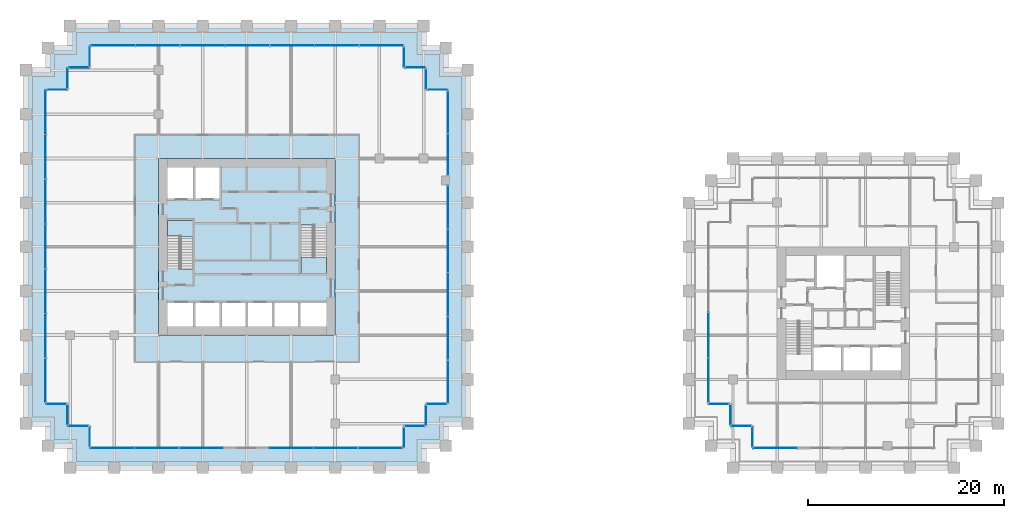
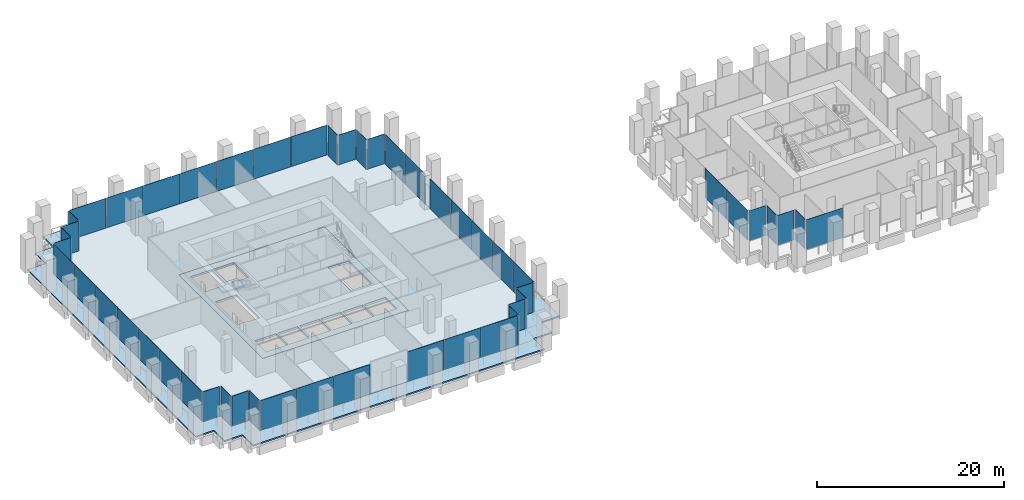
# One storey, part 28 of 36: 50 plates, 5 slabs, 30 elements without a shape of their own.
"""IFC4 building model written with IfcOpenShell, lengths in metres."""

import ifcopenshell
import ifcopenshell.guid

model = None  # the IFC model being written
_history = None  # IfcOwnerHistory: only IFC2X3 demands one
_inside = {}  # id of a spatial element -> (the spatial element, [elements in it])
_under = {}  # id of a project, library or spatial element -> (it, [spatial elements below it])
_declared = {}  # id of a project -> (the project, [libraries it declares])
_typed = {}  # id of a type object -> (the type object, [elements of that type])
_made_of = {}  # id of a material, layer set ... -> (it, [elements and type objects made of it])


def new_model(schema):
    """Start an empty IFC model of exactly this schema.

    Asked for "IFC4X3", IfcOpenShell would pick the latest addendum, in which some entities
    have other attributes; the version numbers below select the first issue.
    IFC2X3 requires an IfcOwnerHistory on every rooted entity: one is made here for all.
    """
    global model, _history
    if schema == "IFC4X3":
        model = ifcopenshell.file(schema_version=(4, 3, 0, 0))
    else:
        model = ifcopenshell.file(schema=schema)
    _inside.clear()
    _under.clear()
    _declared.clear()
    _typed.clear()
    _made_of.clear()
    _history = None
    if model.schema == "IFC2X3":
        org = make("IfcOrganization", Name="unknown")
        user = make(
            "IfcPersonAndOrganization",
            ThePerson=make("IfcPerson", FamilyName="unknown"),
            TheOrganization=org,
        )
        app = make(
            "IfcApplication",
            ApplicationDeveloper=org,
            Version="unknown",
            ApplicationFullName="unknown",
            ApplicationIdentifier="unknown",
        )
        _history = make(
            "IfcOwnerHistory",
            OwningUser=user,
            OwningApplication=app,
            ChangeAction="ADDED",
            CreationDate=0,
        )
    return model


def make(cls, **values):
    """One entity of the class cls with the attributes given. An attribute that is None is left unset."""
    return model.create_entity(
        cls, **{name: value for name, value in values.items() if value is not None}
    )


def rooted(cls, **values):
    """An entity with a GlobalId (a new one), such as an element, a storey or a relation."""
    return make(cls, GlobalId=ifcopenshell.guid.new(), OwnerHistory=_history, **values)


def si_unit(unit_type, name, prefix=None):
    """IfcSIUnit, for example si_unit("LENGTHUNIT", "METRE", prefix="MILLI")."""
    return make("IfcSIUnit", UnitType=unit_type, Prefix=prefix, Name=name)


def assignment(units):
    """IfcUnitAssignment: the units of a project."""
    return None if units is None else make("IfcUnitAssignment", Units=units)


def point(xyz):
    """IfcCartesianPoint."""
    return None if xyz is None else make("IfcCartesianPoint", Coordinates=xyz)


def direction(xyz):
    """IfcDirection."""
    return None if xyz is None else make("IfcDirection", DirectionRatios=xyz)


def frame(location, z_axis=None, x_axis=None):
    """IfcAxis2Placement3D, a coordinate frame: its origin and axes. An axis left out is left unset."""
    return make(
        "IfcAxis2Placement3D",
        Location=point(location),
        Axis=direction(z_axis),
        RefDirection=direction(x_axis),
    )


def frame_2d(location, x_axis=None):
    """IfcAxis2Placement2D, a coordinate frame in the plane: its origin and x axis."""
    return make(
        "IfcAxis2Placement2D", Location=point(location), RefDirection=direction(x_axis)
    )


def origin():
    """The frame at (0, 0, 0) with its axes left unset."""
    return frame((0.0, 0.0, 0.0))


def origin_2d():
    """The frame at (0, 0) in the plane with its x axis left unset."""
    return frame_2d((0.0, 0.0))


def place(relative_to, where):
    """IfcLocalPlacement: puts the frame where relative to a parent placement (None: the world)."""
    return make(
        "IfcLocalPlacement", PlacementRelTo=relative_to, RelativePlacement=where
    )


def context(
    kind, dimensions, precision=None, world=None, true_north=None, identifier=None
):
    """IfcGeometricRepresentationContext, for example the 3D "Model" context."""
    return make(
        "IfcGeometricRepresentationContext",
        ContextIdentifier=identifier,
        ContextType=kind,
        CoordinateSpaceDimension=dimensions,
        Precision=precision,
        WorldCoordinateSystem=world,
        TrueNorth=true_north,
    )


def subcontext(parent, identifier, kind, view, scale=None):
    """IfcGeometricRepresentationSubContext, for example "Body" below "Model"."""
    return make(
        "IfcGeometricRepresentationSubContext",
        ContextIdentifier=identifier,
        ContextType=kind,
        ParentContext=parent,
        TargetScale=scale,
        TargetView=view,
    )


def project(units=None, contexts=None):
    """IfcProject with its units and contexts."""
    return rooted(
        "IfcProject",
        Name="project",
        RepresentationContexts=contexts,
        UnitsInContext=assignment(units),
    )


def spatial(cls, under=None, at=None, **own):
    """A site, building, storey or space (cls), placed at a placement, below another one or the project."""
    s = rooted(cls, ObjectPlacement=at, **own)
    if under is not None:
        _under.setdefault(under.id(), (under, []))[1].append(s)
    return s


def polyline(points):
    """IfcPolyline through the points."""
    return make("IfcPolyline", Points=[point(p) for p in points])


def profile(cls, at=None, kind="AREA", **sizes):
    """A parametric profile (cls). Its sizes go by their IFC names, for example OverallWidth=200.0."""
    return make(cls, ProfileType=kind, Position=at, **sizes)


def rectangle(**sizes):
    """IfcRectangleProfileDef."""
    return profile("IfcRectangleProfileDef", **sizes)


def outline(outer, holes=None, kind="AREA"):
    """IfcArbitraryClosedProfileDef: a profile drawn as a closed curve; with holes, ...WithVoids."""
    if holes is None:
        return make("IfcArbitraryClosedProfileDef", ProfileType=kind, OuterCurve=outer)
    return make(
        "IfcArbitraryProfileDefWithVoids",
        ProfileType=kind,
        OuterCurve=outer,
        InnerCurves=holes,
    )


def extrude(swept, where, along, depth):
    """IfcExtrudedAreaSolid: the profile swept, set in the frame where, extruded along a direction by depth."""
    return make(
        "IfcExtrudedAreaSolid",
        SweptArea=swept,
        Position=where,
        ExtrudedDirection=direction(along),
        Depth=depth,
    )


def shape(context_of_items, identifier, shape_type, items):
    """IfcShapeRepresentation: the items that make up one representation, for example the "Body"."""
    return make(
        "IfcShapeRepresentation",
        ContextOfItems=context_of_items,
        RepresentationIdentifier=identifier,
        RepresentationType=shape_type,
        Items=items,
    )


def material(Name=None, Category=None):
    """IfcMaterial."""
    return make("IfcMaterial", Name=Name, Category=Category)


def layer(
    of_material, thickness, ventilated=None, Name=None, Category=None, Priority=None
):
    """IfcMaterialLayer: one layer of a wall or slab, of a material (None: an air gap)."""
    return make(
        "IfcMaterialLayer",
        Material=of_material,
        LayerThickness=thickness,
        IsVentilated=ventilated,
        Name=Name,
        Category=Category,
        Priority=Priority,
    )


def layer_set(layers, Name=None):
    """IfcMaterialLayerSet."""
    return make("IfcMaterialLayerSet", MaterialLayers=layers, LayerSetName=Name)


def made_of(thing, what):
    """Note that an element or type object is made of a material, layer set ...; save() writes the relation."""
    if what is not None:
        _made_of.setdefault(what.id(), (what, []))[1].append(thing)
    return thing


def type_object(cls, material=None, **own):
    """A type object (cls), such as IfcWallType, which elements share."""
    return made_of(rooted(cls, **own), material)


def element(
    cls,
    number,
    at=None,
    inside=None,
    cuts=None,
    type_object=None,
    material=None,
    context=None,
    identifier="Body",
    shape_type=None,
    held_by="IfcProductDefinitionShape",
    body=None,
    shapes=None,
    **own,
):
    """One element of the class cls, such as IfcWall. Its Tag is "e" and its number.

    at: its placement. inside: the storey or other place that contains it. cuts: it is an
    opening in that element (IfcRelVoidsElement). A single representation is given by context,
    identifier, shape_type and body (its items); several are given by shapes. held_by: the class
    of the entity that holds the representations. save() writes the other relations.
    """
    e = rooted(cls, Tag="e%d" % number, ObjectPlacement=at, **own)
    if body is not None:
        shapes = [shape(context, identifier, shape_type, body)]
    if shapes is not None:
        e.Representation = make(held_by, Representations=shapes)
    if inside is not None:
        _inside.setdefault(inside.id(), (inside, []))[1].append(e)
    if cuts is not None:
        rooted(
            "IfcRelVoidsElement", RelatingBuildingElement=cuts, RelatedOpeningElement=e
        )
    if type_object is not None:
        _typed.setdefault(type_object.id(), (type_object, []))[1].append(e)
    return made_of(e, material)


def aggregate(whole, parts):
    """IfcRelAggregates: a whole, such as a stair, and the parts it consists of."""
    return rooted("IfcRelAggregates", RelatingObject=whole, RelatedObjects=parts)


def save(model, path):
    """Write the relations noted so far, then the file.

    IfcRelAggregates (storeys below a building ...), IfcRelContainedInSpatialStructure (elements
    in a storey), IfcRelDefinesByType, IfcRelAssociatesMaterial and IfcRelDeclares: one each for
    every whole, place, type object, material and project.
    """
    for whole, parts in _under.values():
        aggregate(whole, parts)
    for where, things in _inside.values():
        rooted(
            "IfcRelContainedInSpatialStructure",
            RelatedElements=things,
            RelatingStructure=where,
        )
    for kind, things in _typed.values():
        rooted("IfcRelDefinesByType", RelatedObjects=things, RelatingType=kind)
    for what, things in _made_of.values():
        rooted("IfcRelAssociatesMaterial", RelatedObjects=things, RelatingMaterial=what)
    for by, libraries in _declared.values():
        rooted("IfcRelDeclares", RelatingContext=by, RelatedDefinitions=libraries)
    model.write(path)


model = new_model("IFC4")

# Units and contexts
model_context = context("Model", 3, precision=1e-05, world=origin(), true_north=direction((0.0, 1.0)))
body_context = subcontext(model_context, "Body", "Model", "MODEL_VIEW")
ifc_project = project(units=[si_unit("LENGTHUNIT", "METRE"), si_unit("AREAUNIT", "SQUARE_METRE"), si_unit("VOLUMEUNIT", "CUBIC_METRE"), si_unit("PLANEANGLEUNIT", "RADIAN"), si_unit("MASSUNIT", "GRAM", prefix="KILO")], contexts=[model_context])

# Site, building, storey
site_placement = place(None, origin())
site = spatial("IfcSite", under=ifc_project, at=site_placement, CompositionType="ELEMENT")
building_placement = place(site_placement, origin())
building = spatial("IfcBuilding", under=site, at=building_placement, Name="Altepetl Exchange Towers", CompositionType="ELEMENT")
storey_placement = place(building_placement, frame((0.0, 0.0, 34.199951171875)))
storey = spatial("IfcBuildingStorey", under=building, at=storey_placement, Name="L07", CompositionType="ELEMENT", Elevation=34.199951171875)

# Slabs
ifc_material_1 = material(Name="Concrete C40/50", Category="concrete")
ifc_layer_1 = layer(ifc_material_1, 0.175048828125)
ifc_layer_set_1 = layer_set([ifc_layer_1], Name="Concrete C40/50")
slab_type_1 = type_object("IfcSlabType", Name="Composite floor slab 175", PredefinedType="FLOOR", material=ifc_layer_set_1)
slab_1_placement = place(storey_placement, frame((0.0, 0.0, -0.175048828125)))
element("IfcSlab", 1, at=slab_1_placement, inside=storey, type_object=slab_type_1, Name="slab:A:L07:strip0", PredefinedType="FLOOR", context=body_context, shape_type="SweptSolid", body=[
    extrude(outline(polyline([(31.25, 67.75), (31.25, 65.5), (29.0, 65.5), (29.0, 33.5), (31.25, 33.5), (31.25, 31.25), (33.5, 31.25), (33.5, 29.0), (65.5, 29.0), (65.5, 31.25), (67.75, 31.25), (67.75, 33.5), (70.0, 33.5), (70.0, 65.5), (67.75, 65.5), (67.75, 67.75), (65.5, 67.75), (65.5, 70.0), (33.5, 70.0), (33.5, 67.75), (31.25, 67.75)]), holes=[polyline([(58.5, 58.5), (58.5, 40.5), (40.5, 40.5), (40.5, 58.5), (58.5, 58.5)])]), origin(), (0.0, 0.0, 1.0), 0.175048828125),
])
ifc_layer_2 = layer(ifc_material_1, 0.27490234375)
ifc_layer_set_2 = layer_set([ifc_layer_2], Name="Concrete C40/50")
slab_type_2 = type_object("IfcSlabType", Name="Core floor slab 275", PredefinedType="FLOOR", material=ifc_layer_set_2)
slab_2_placement = place(storey_placement, frame((0.0, 0.0, -0.27490234375)))
element("IfcSlab", 2, at=slab_2_placement, inside=storey, type_object=slab_type_2, Name="slab:A:L07:core0", PredefinedType="FLOOR", context=body_context, shape_type="SweptSolid", body=[
    extrude(outline(polyline([(40.5, 40.5), (58.5, 40.5), (58.5, 58.5), (40.5, 58.5), (40.5, 40.5)]), holes=[polyline([(41.39990234375, 43.800048828125), (44.06689453125, 43.800048828125), (44.06689453125, 41.39990234375), (41.39990234375, 41.39990234375), (41.39990234375, 43.800048828125)]), polyline([(44.26708984375, 43.800048828125), (46.73291015625, 43.800048828125), (46.73291015625, 41.39990234375), (44.26708984375, 41.39990234375), (44.26708984375, 43.800048828125)]), polyline([(46.93310546875, 43.800048828125), (49.39990234375, 43.800048828125), (49.39990234375, 41.39990234375), (46.93310546875, 41.39990234375), (46.93310546875, 43.800048828125)]), polyline([(52.06689453125, 43.800048828125), (52.06689453125, 41.39990234375), (49.60009765625, 41.39990234375), (49.60009765625, 43.800048828125), (52.06689453125, 43.800048828125)]), polyline([(54.73291015625, 43.800048828125), (54.73291015625, 41.39990234375), (52.26708984375, 41.39990234375), (52.26708984375, 43.800048828125), (54.73291015625, 43.800048828125)]), polyline([(54.93310546875, 43.800048828125), (57.60009765625, 43.800048828125), (57.60009765625, 41.39990234375), (54.93310546875, 41.39990234375), (54.93310546875, 43.800048828125)]), polyline([(55.0, 51.7490234375), (56.35009765625, 51.7490234375), (56.35009765625, 51.64990234375), (57.60009765625, 51.64990234375), (57.60009765625, 46.800048828125), (55.0, 46.800048828125), (55.0, 51.7490234375)]), polyline([(44.0, 47.2509765625), (42.64990234375, 47.2509765625), (42.64990234375, 47.35009765625), (41.39990234375, 47.35009765625), (41.39990234375, 52.199951171875), (44.0, 52.199951171875), (44.0, 47.2509765625)]), polyline([(44.06689453125, 57.60009765625), (44.06689453125, 54.39990234375), (41.39990234375, 54.39990234375), (41.39990234375, 57.60009765625), (44.06689453125, 57.60009765625)]), polyline([(46.73291015625, 57.60009765625), (46.73291015625, 54.39990234375), (44.26708984375, 54.39990234375), (44.26708984375, 57.60009765625), (46.73291015625, 57.60009765625)])]), origin(), (0.0, 0.0, 1.0), 0.27490234375),
])

# Curtain wall, plate
ifc_material_2 = material(Name="Aluminium 6063-T6 glazing", Category="aluminium")
curtain_wall_type = type_object("IfcCurtainWallType", Name="Trading floor glazing system", PredefinedType="NOTDEFINED", material=ifc_material_2)
curtain_wall_1_placement = place(storey_placement, origin())
curtain_wall_1 = element("IfcCurtainWall", 3, at=curtain_wall_1_placement, inside=storey, type_object=curtain_wall_type, Name="CW2 run", PredefinedType="NOTDEFINED")
ifc_material_3 = material(Name="Glass 8-20-8 solar control", Category="glass")
ifc_layer_3 = layer(ifc_material_3, 0.035888671875)
ifc_layer_set_3 = layer_set([ifc_layer_3], Name="Glass 8-20-8 solar control")
plate_type = type_object("IfcPlateType", Name="Glass panel 36 double glazed", PredefinedType="CURTAIN_PANEL", material=ifc_layer_set_3)
plate_1_placement = place(storey_placement, frame((30.175048828125, 65.5, 0.0), z_axis=(0.0, 0.0, 1.0), x_axis=(-1.0, 0.0, 0.0)))
plate_1 = element("IfcPlate", 4, at=plate_1_placement, type_object=plate_type, Name="GP2 panel", PredefinedType="CURTAIN_PANEL", context=body_context, shape_type="SweptSolid", body=[
    extrude(rectangle(XDim=2.030029296875, YDim=0.035888671875, at=origin_2d()), origin(), (0.0, 0.0, 1.0), 3.89990234375),
])
aggregate(curtain_wall_1, [plate_1])

# Curtain wall, plates
curtain_wall_2_placement = place(storey_placement, origin())
curtain_wall_2 = element("IfcCurtainWall", 5, at=curtain_wall_2_placement, inside=storey, type_object=curtain_wall_type, Name="CW2 run", PredefinedType="NOTDEFINED")
plate_2_placement = place(storey_placement, frame((29.0, 63.20654296875, 0.0), z_axis=(0.0, 0.0, 1.0), x_axis=(0.0, -1.0, 0.0)))
plate_2 = element("IfcPlate", 6, at=plate_2_placement, type_object=plate_type, Name="GP2 panel", PredefinedType="CURTAIN_PANEL", context=body_context, shape_type="SweptSolid", body=[
    extrude(rectangle(XDim=4.467041015625, YDim=0.035888671875, at=origin_2d()), origin(), (0.0, 0.0, 1.0), 3.89990234375),
])
plate_3_placement = place(storey_placement, frame((29.0, 58.664306640625, 0.0), z_axis=(0.0, 0.0, 1.0), x_axis=(0.0, -1.0, 0.0)))
plate_3 = element("IfcPlate", 7, at=plate_3_placement, type_object=plate_type, Name="GP2 panel", PredefinedType="CURTAIN_PANEL", context=body_context, shape_type="SweptSolid", body=[
    extrude(rectangle(XDim=4.4970703125, YDim=0.035888671875, at=origin_2d()), origin(), (0.0, 0.0, 1.0), 3.89990234375),
])
plate_4_placement = place(storey_placement, frame((29.0, 54.107177734375, 0.0), z_axis=(0.0, 0.0, 1.0), x_axis=(0.0, -1.0, 0.0)))
plate_4 = element("IfcPlate", 8, at=plate_4_placement, type_object=plate_type, Name="GP2 panel", PredefinedType="CURTAIN_PANEL", context=body_context, shape_type="SweptSolid", body=[
    extrude(rectangle(XDim=4.4970703125, YDim=0.035888671875, at=origin_2d()), origin(), (0.0, 0.0, 1.0), 3.89990234375),
])
plate_5_placement = place(storey_placement, frame((29.0, 49.550048828125, 0.0), z_axis=(0.0, 0.0, 1.0), x_axis=(0.0, -1.0, 0.0)))
plate_5 = element("IfcPlate", 9, at=plate_5_placement, type_object=plate_type, Name="GP2 panel", PredefinedType="CURTAIN_PANEL", context=body_context, shape_type="SweptSolid", body=[
    extrude(rectangle(XDim=4.4970703125, YDim=0.035888671875, at=origin_2d()), origin(), (0.0, 0.0, 1.0), 3.89990234375),
])
plate_6_placement = place(storey_placement, frame((29.0, 44.992919921875, 0.0), z_axis=(0.0, 0.0, 1.0), x_axis=(0.0, -1.0, 0.0)))
plate_6 = element("IfcPlate", 10, at=plate_6_placement, type_object=plate_type, Name="GP2 panel", PredefinedType="CURTAIN_PANEL", context=body_context, shape_type="SweptSolid", body=[
    extrude(rectangle(XDim=4.4970703125, YDim=0.035888671875, at=origin_2d()), origin(), (0.0, 0.0, 1.0), 3.89990234375),
])
plate_7_placement = place(storey_placement, frame((29.0, 40.435791015625, 0.0), z_axis=(0.0, 0.0, 1.0), x_axis=(0.0, -1.0, 0.0)))
plate_7 = element("IfcPlate", 11, at=plate_7_placement, type_object=plate_type, Name="GP2 panel", PredefinedType="CURTAIN_PANEL", context=body_context, shape_type="SweptSolid", body=[
    extrude(rectangle(XDim=4.4970703125, YDim=0.035888671875, at=origin_2d()), origin(), (0.0, 0.0, 1.0), 3.89990234375),
])
plate_8_placement = place(storey_placement, frame((29.0, 35.8935546875, 0.0), z_axis=(0.0, 0.0, 1.0), x_axis=(0.0, -1.0, 0.0)))
plate_8 = element("IfcPlate", 12, at=plate_8_placement, type_object=plate_type, Name="GP2 panel", PredefinedType="CURTAIN_PANEL", context=body_context, shape_type="SweptSolid", body=[
    extrude(rectangle(XDim=4.467041015625, YDim=0.035888671875, at=origin_2d()), origin(), (0.0, 0.0, 1.0), 3.89990234375),
])
aggregate(curtain_wall_2, [plate_2, plate_3, plate_4, plate_5, plate_6, plate_7, plate_8])

# Curtain wall, plate
curtain_wall_3_placement = place(storey_placement, origin())
curtain_wall_3 = element("IfcCurtainWall", 13, at=curtain_wall_3_placement, inside=storey, type_object=curtain_wall_type, Name="CW2 run", PredefinedType="NOTDEFINED")
plate_9_placement = place(storey_placement, frame((30.074951171875, 33.5, 0.0)))
plate_9 = element("IfcPlate", 14, at=plate_9_placement, type_object=plate_type, Name="GP2 panel", PredefinedType="CURTAIN_PANEL", context=body_context, shape_type="SweptSolid", body=[
    extrude(rectangle(XDim=2.030029296875, YDim=0.035888671875, at=origin_2d()), origin(), (0.0, 0.0, 1.0), 3.89990234375),
])
aggregate(curtain_wall_3, [plate_9])

curtain_wall_4_placement = place(storey_placement, origin())
curtain_wall_4 = element("IfcCurtainWall", 15, at=curtain_wall_4_placement, inside=storey, type_object=curtain_wall_type, Name="CW2 run", PredefinedType="NOTDEFINED")
plate_10_placement = place(storey_placement, frame((31.25, 32.425048828125, 0.0), z_axis=(0.0, 0.0, 1.0), x_axis=(0.0, -1.0, 0.0)))
plate_10 = element("IfcPlate", 16, at=plate_10_placement, type_object=plate_type, Name="GP2 panel", PredefinedType="CURTAIN_PANEL", context=body_context, shape_type="SweptSolid", body=[
    extrude(rectangle(XDim=2.030029296875, YDim=0.035888671875, at=origin_2d()), origin(), (0.0, 0.0, 1.0), 3.89990234375),
])
aggregate(curtain_wall_4, [plate_10])

curtain_wall_5_placement = place(storey_placement, origin())
curtain_wall_5 = element("IfcCurtainWall", 17, at=curtain_wall_5_placement, inside=storey, type_object=curtain_wall_type, Name="CW2 run", PredefinedType="NOTDEFINED")
plate_11_placement = place(storey_placement, frame((32.324951171875, 31.25, 0.0)))
plate_11 = element("IfcPlate", 18, at=plate_11_placement, type_object=plate_type, Name="GP2 panel", PredefinedType="CURTAIN_PANEL", context=body_context, shape_type="SweptSolid", body=[
    extrude(rectangle(XDim=2.030029296875, YDim=0.035888671875, at=origin_2d()), origin(), (0.0, 0.0, 1.0), 3.89990234375),
])
aggregate(curtain_wall_5, [plate_11])

curtain_wall_6_placement = place(storey_placement, origin())
curtain_wall_6 = element("IfcCurtainWall", 19, at=curtain_wall_6_placement, inside=storey, type_object=curtain_wall_type, Name="CW2 run", PredefinedType="NOTDEFINED")
plate_12_placement = place(storey_placement, frame((33.5, 30.175048828125, 0.0), z_axis=(0.0, 0.0, 1.0), x_axis=(0.0, -1.0, 0.0)))
plate_12 = element("IfcPlate", 20, at=plate_12_placement, type_object=plate_type, Name="GP2 panel", PredefinedType="CURTAIN_PANEL", context=body_context, shape_type="SweptSolid", body=[
    extrude(rectangle(XDim=2.030029296875, YDim=0.035888671875, at=origin_2d()), origin(), (0.0, 0.0, 1.0), 3.89990234375),
])
aggregate(curtain_wall_6, [plate_12])

# Curtain wall, plates
curtain_wall_7_placement = place(storey_placement, origin())
curtain_wall_7 = element("IfcCurtainWall", 21, at=curtain_wall_7_placement, inside=storey, type_object=curtain_wall_type, Name="CW2 run", PredefinedType="NOTDEFINED")
plate_13_placement = place(storey_placement, frame((35.79345703125, 29.0, 0.0)))
plate_13 = element("IfcPlate", 22, at=plate_13_placement, type_object=plate_type, Name="GP2 panel", PredefinedType="CURTAIN_PANEL", context=body_context, shape_type="SweptSolid", body=[
    extrude(rectangle(XDim=4.467041015625, YDim=0.035888671875, at=origin_2d()), origin(), (0.0, 0.0, 1.0), 3.89990234375),
])
plate_14_placement = place(storey_placement, frame((40.335693359375, 29.0, 0.0)))
plate_14 = element("IfcPlate", 23, at=plate_14_placement, type_object=plate_type, Name="GP2 panel", PredefinedType="CURTAIN_PANEL", context=body_context, shape_type="SweptSolid", body=[
    extrude(rectangle(XDim=4.4970703125, YDim=0.035888671875, at=origin_2d()), origin(), (0.0, 0.0, 1.0), 3.89990234375),
])
plate_15_placement = place(storey_placement, frame((44.8779296875, 29.0, 0.0)))
plate_15 = element("IfcPlate", 24, at=plate_15_placement, type_object=plate_type, Name="GP2 panel", PredefinedType="CURTAIN_PANEL", context=body_context, shape_type="SweptSolid", body=[
    extrude(rectangle(XDim=4.467041015625, YDim=0.035888671875, at=origin_2d()), origin(), (0.0, 0.0, 1.0), 3.89990234375),
])
aggregate(curtain_wall_7, [plate_13, plate_14, plate_15])

curtain_wall_8_placement = place(storey_placement, origin())
curtain_wall_8 = element("IfcCurtainWall", 25, at=curtain_wall_8_placement, inside=storey, type_object=curtain_wall_type, Name="CW2 run", PredefinedType="NOTDEFINED")
plate_16_placement = place(storey_placement, frame((54.022216796875, 29.0, 0.0)))
plate_16 = element("IfcPlate", 26, at=plate_16_placement, type_object=plate_type, Name="GP2 panel", PredefinedType="CURTAIN_PANEL", context=body_context, shape_type="SweptSolid", body=[
    extrude(rectangle(XDim=4.467041015625, YDim=0.035888671875, at=origin_2d()), origin(), (0.0, 0.0, 1.0), 3.89990234375),
])
plate_17_placement = place(storey_placement, frame((58.564208984375, 29.0, 0.0)))
plate_17 = element("IfcPlate", 27, at=plate_17_placement, type_object=plate_type, Name="GP2 panel", PredefinedType="CURTAIN_PANEL", context=body_context, shape_type="SweptSolid", body=[
    extrude(rectangle(XDim=4.4970703125, YDim=0.035888671875, at=origin_2d()), origin(), (0.0, 0.0, 1.0), 3.89990234375),
])
plate_18_placement = place(storey_placement, frame((63.1064453125, 29.0, 0.0)))
plate_18 = element("IfcPlate", 28, at=plate_18_placement, type_object=plate_type, Name="GP2 panel", PredefinedType="CURTAIN_PANEL", context=body_context, shape_type="SweptSolid", body=[
    extrude(rectangle(XDim=4.467041015625, YDim=0.035888671875, at=origin_2d()), origin(), (0.0, 0.0, 1.0), 3.89990234375),
])
aggregate(curtain_wall_8, [plate_16, plate_17, plate_18])

# Curtain wall, plate
curtain_wall_9_placement = place(storey_placement, origin())
curtain_wall_9 = element("IfcCurtainWall", 29, at=curtain_wall_9_placement, inside=storey, type_object=curtain_wall_type, Name="CW2 run", PredefinedType="NOTDEFINED")
plate_19_placement = place(storey_placement, frame((65.5, 30.074951171875, 0.0), z_axis=(0.0, 0.0, 1.0), x_axis=(0.0, 1.0, 0.0)))
plate_19 = element("IfcPlate", 30, at=plate_19_placement, type_object=plate_type, Name="GP2 panel", PredefinedType="CURTAIN_PANEL", context=body_context, shape_type="SweptSolid", body=[
    extrude(rectangle(XDim=2.030029296875, YDim=0.035888671875, at=origin_2d()), origin(), (0.0, 0.0, 1.0), 3.89990234375),
])
aggregate(curtain_wall_9, [plate_19])

curtain_wall_10_placement = place(storey_placement, origin())
curtain_wall_10 = element("IfcCurtainWall", 31, at=curtain_wall_10_placement, inside=storey, type_object=curtain_wall_type, Name="CW2 run", PredefinedType="NOTDEFINED")
plate_20_placement = place(storey_placement, frame((66.574951171875, 31.25, 0.0)))
plate_20 = element("IfcPlate", 32, at=plate_20_placement, type_object=plate_type, Name="GP2 panel", PredefinedType="CURTAIN_PANEL", context=body_context, shape_type="SweptSolid", body=[
    extrude(rectangle(XDim=2.030029296875, YDim=0.035888671875, at=origin_2d()), origin(), (0.0, 0.0, 1.0), 3.89990234375),
])
aggregate(curtain_wall_10, [plate_20])

curtain_wall_11_placement = place(storey_placement, origin())
curtain_wall_11 = element("IfcCurtainWall", 33, at=curtain_wall_11_placement, inside=storey, type_object=curtain_wall_type, Name="CW2 run", PredefinedType="NOTDEFINED")
plate_21_placement = place(storey_placement, frame((67.75, 32.324951171875, 0.0), z_axis=(0.0, 0.0, 1.0), x_axis=(0.0, 1.0, 0.0)))
plate_21 = element("IfcPlate", 34, at=plate_21_placement, type_object=plate_type, Name="GP2 panel", PredefinedType="CURTAIN_PANEL", context=body_context, shape_type="SweptSolid", body=[
    extrude(rectangle(XDim=2.030029296875, YDim=0.035888671875, at=origin_2d()), origin(), (0.0, 0.0, 1.0), 3.89990234375),
])
aggregate(curtain_wall_11, [plate_21])

curtain_wall_12_placement = place(storey_placement, origin())
curtain_wall_12 = element("IfcCurtainWall", 35, at=curtain_wall_12_placement, inside=storey, type_object=curtain_wall_type, Name="CW2 run", PredefinedType="NOTDEFINED")
plate_22_placement = place(storey_placement, frame((68.824951171875, 33.5, 0.0)))
plate_22 = element("IfcPlate", 36, at=plate_22_placement, type_object=plate_type, Name="GP2 panel", PredefinedType="CURTAIN_PANEL", context=body_context, shape_type="SweptSolid", body=[
    extrude(rectangle(XDim=2.030029296875, YDim=0.035888671875, at=origin_2d()), origin(), (0.0, 0.0, 1.0), 3.89990234375),
])
aggregate(curtain_wall_12, [plate_22])

# Curtain wall, plates
curtain_wall_13_placement = place(storey_placement, origin())
curtain_wall_13 = element("IfcCurtainWall", 37, at=curtain_wall_13_placement, inside=storey, type_object=curtain_wall_type, Name="CW2 run", PredefinedType="NOTDEFINED")
plate_23_placement = place(storey_placement, frame((70.0, 35.742919921875, 0.0), z_axis=(0.0, 0.0, 1.0), x_axis=(0.0, 1.0, 0.0)))
plate_23 = element("IfcPlate", 38, at=plate_23_placement, type_object=plate_type, Name="GP2 panel", PredefinedType="CURTAIN_PANEL", context=body_context, shape_type="SweptSolid", body=[
    extrude(rectangle(XDim=4.365966796875, YDim=0.035888671875, at=origin_2d()), origin(), (0.0, 0.0, 1.0), 3.89990234375),
])
plate_24_placement = place(storey_placement, frame((70.0, 40.18408203125, 0.0), z_axis=(0.0, 0.0, 1.0), x_axis=(0.0, 1.0, 0.0)))
plate_24 = element("IfcPlate", 39, at=plate_24_placement, type_object=plate_type, Name="GP2 panel", PredefinedType="CURTAIN_PANEL", context=body_context, shape_type="SweptSolid", body=[
    extrude(rectangle(XDim=4.39599609375, YDim=0.035888671875, at=origin_2d()), origin(), (0.0, 0.0, 1.0), 3.89990234375),
])
plate_25_placement = place(storey_placement, frame((70.0, 44.639892578125, 0.0), z_axis=(0.0, 0.0, 1.0), x_axis=(0.0, 1.0, 0.0)))
plate_25 = element("IfcPlate", 40, at=plate_25_placement, type_object=plate_type, Name="GP2 panel", PredefinedType="CURTAIN_PANEL", context=body_context, shape_type="SweptSolid", body=[
    extrude(rectangle(XDim=4.39599609375, YDim=0.035888671875, at=origin_2d()), origin(), (0.0, 0.0, 1.0), 3.89990234375),
])
plate_26_placement = place(storey_placement, frame((70.0, 49.095947265625, 0.0), z_axis=(0.0, 0.0, 1.0), x_axis=(0.0, 1.0, 0.0)))
plate_26 = element("IfcPlate", 41, at=plate_26_placement, type_object=plate_type, Name="GP2 panel", PredefinedType="CURTAIN_PANEL", context=body_context, shape_type="SweptSolid", body=[
    extrude(rectangle(XDim=4.39599609375, YDim=0.035888671875, at=origin_2d()), origin(), (0.0, 0.0, 1.0), 3.89990234375),
])
plate_27_placement = place(storey_placement, frame((70.0, 53.537109375, 0.0), z_axis=(0.0, 0.0, 1.0), x_axis=(0.0, 1.0, 0.0)))
plate_27 = element("IfcPlate", 42, at=plate_27_placement, type_object=plate_type, Name="GP2 panel", PredefinedType="CURTAIN_PANEL", context=body_context, shape_type="SweptSolid", body=[
    extrude(rectangle(XDim=4.365966796875, YDim=0.035888671875, at=origin_2d()), origin(), (0.0, 0.0, 1.0), 3.89990234375),
])
aggregate(curtain_wall_13, [plate_23, plate_24, plate_25, plate_26, plate_27])

curtain_wall_14_placement = place(storey_placement, origin())
curtain_wall_14 = element("IfcCurtainWall", 43, at=curtain_wall_14_placement, inside=storey, type_object=curtain_wall_type, Name="CW2 run", PredefinedType="NOTDEFINED")
plate_28_placement = place(storey_placement, frame((70.0, 58.905029296875, 0.0), z_axis=(0.0, 0.0, 1.0), x_axis=(0.0, 1.0, 0.0)))
plate_28 = element("IfcPlate", 44, at=plate_28_placement, type_object=plate_type, Name="GP2 panel", PredefinedType="CURTAIN_PANEL", context=body_context, shape_type="SweptSolid", body=[
    extrude(rectangle(XDim=4.25, YDim=0.035888671875, at=origin_2d()), origin(), (0.0, 0.0, 1.0), 3.89990234375),
])
plate_29_placement = place(storey_placement, frame((70.0, 63.215087890625, 0.0), z_axis=(0.0, 0.0, 1.0), x_axis=(0.0, 1.0, 0.0)))
plate_29 = element("IfcPlate", 45, at=plate_29_placement, type_object=plate_type, Name="GP2 panel", PredefinedType="CURTAIN_PANEL", context=body_context, shape_type="SweptSolid", body=[
    extrude(rectangle(XDim=4.25, YDim=0.035888671875, at=origin_2d()), origin(), (0.0, 0.0, 1.0), 3.89990234375),
])
aggregate(curtain_wall_14, [plate_28, plate_29])

# Curtain wall, plate
curtain_wall_15_placement = place(storey_placement, origin())
curtain_wall_15 = element("IfcCurtainWall", 46, at=curtain_wall_15_placement, inside=storey, type_object=curtain_wall_type, Name="CW2 run", PredefinedType="NOTDEFINED")
plate_30_placement = place(storey_placement, frame((68.925048828125, 65.5, 0.0), z_axis=(0.0, 0.0, 1.0), x_axis=(-1.0, 0.0, 0.0)))
plate_30 = element("IfcPlate", 47, at=plate_30_placement, type_object=plate_type, Name="GP2 panel", PredefinedType="CURTAIN_PANEL", context=body_context, shape_type="SweptSolid", body=[
    extrude(rectangle(XDim=2.030029296875, YDim=0.035888671875, at=origin_2d()), origin(), (0.0, 0.0, 1.0), 3.89990234375),
])
aggregate(curtain_wall_15, [plate_30])

curtain_wall_16_placement = place(storey_placement, origin())
curtain_wall_16 = element("IfcCurtainWall", 48, at=curtain_wall_16_placement, inside=storey, type_object=curtain_wall_type, Name="CW2 run", PredefinedType="NOTDEFINED")
plate_31_placement = place(storey_placement, frame((67.75, 66.574951171875, 0.0), z_axis=(0.0, 0.0, 1.0), x_axis=(0.0, 1.0, 0.0)))
plate_31 = element("IfcPlate", 49, at=plate_31_placement, type_object=plate_type, Name="GP2 panel", PredefinedType="CURTAIN_PANEL", context=body_context, shape_type="SweptSolid", body=[
    extrude(rectangle(XDim=2.030029296875, YDim=0.035888671875, at=origin_2d()), origin(), (0.0, 0.0, 1.0), 3.89990234375),
])
aggregate(curtain_wall_16, [plate_31])

curtain_wall_17_placement = place(storey_placement, origin())
curtain_wall_17 = element("IfcCurtainWall", 50, at=curtain_wall_17_placement, inside=storey, type_object=curtain_wall_type, Name="CW2 run", PredefinedType="NOTDEFINED")
plate_32_placement = place(storey_placement, frame((66.675048828125, 67.75, 0.0), z_axis=(0.0, 0.0, 1.0), x_axis=(-1.0, 0.0, 0.0)))
plate_32 = element("IfcPlate", 51, at=plate_32_placement, type_object=plate_type, Name="GP2 panel", PredefinedType="CURTAIN_PANEL", context=body_context, shape_type="SweptSolid", body=[
    extrude(rectangle(XDim=2.030029296875, YDim=0.035888671875, at=origin_2d()), origin(), (0.0, 0.0, 1.0), 3.89990234375),
])
aggregate(curtain_wall_17, [plate_32])

curtain_wall_18_placement = place(storey_placement, origin())
curtain_wall_18 = element("IfcCurtainWall", 52, at=curtain_wall_18_placement, inside=storey, type_object=curtain_wall_type, Name="CW2 run", PredefinedType="NOTDEFINED")
plate_33_placement = place(storey_placement, frame((65.5, 68.824951171875, 0.0), z_axis=(0.0, 0.0, 1.0), x_axis=(0.0, 1.0, 0.0)))
plate_33 = element("IfcPlate", 53, at=plate_33_placement, type_object=plate_type, Name="GP2 panel", PredefinedType="CURTAIN_PANEL", context=body_context, shape_type="SweptSolid", body=[
    extrude(rectangle(XDim=2.030029296875, YDim=0.035888671875, at=origin_2d()), origin(), (0.0, 0.0, 1.0), 3.89990234375),
])
aggregate(curtain_wall_18, [plate_33])

# Curtain wall, plates
curtain_wall_19_placement = place(storey_placement, origin())
curtain_wall_19 = element("IfcCurtainWall", 54, at=curtain_wall_19_placement, inside=storey, type_object=curtain_wall_type, Name="CW2 run", PredefinedType="NOTDEFINED")
plate_34_placement = place(storey_placement, frame((63.20654296875, 70.0, 0.0), z_axis=(0.0, 0.0, 1.0), x_axis=(-1.0, 0.0, 0.0)))
plate_34 = element("IfcPlate", 55, at=plate_34_placement, type_object=plate_type, Name="GP2 panel", PredefinedType="CURTAIN_PANEL", context=body_context, shape_type="SweptSolid", body=[
    extrude(rectangle(XDim=4.467041015625, YDim=0.035888671875, at=origin_2d()), origin(), (0.0, 0.0, 1.0), 3.89990234375),
])
plate_35_placement = place(storey_placement, frame((58.664306640625, 70.0, 0.0), z_axis=(0.0, 0.0, 1.0), x_axis=(-1.0, 0.0, 0.0)))
plate_35 = element("IfcPlate", 56, at=plate_35_placement, type_object=plate_type, Name="GP2 panel", PredefinedType="CURTAIN_PANEL", context=body_context, shape_type="SweptSolid", body=[
    extrude(rectangle(XDim=4.4970703125, YDim=0.035888671875, at=origin_2d()), origin(), (0.0, 0.0, 1.0), 3.89990234375),
])
plate_36_placement = place(storey_placement, frame((54.107177734375, 70.0, 0.0), z_axis=(0.0, 0.0, 1.0), x_axis=(-1.0, 0.0, 0.0)))
plate_36 = element("IfcPlate", 57, at=plate_36_placement, type_object=plate_type, Name="GP2 panel", PredefinedType="CURTAIN_PANEL", context=body_context, shape_type="SweptSolid", body=[
    extrude(rectangle(XDim=4.4970703125, YDim=0.035888671875, at=origin_2d()), origin(), (0.0, 0.0, 1.0), 3.89990234375),
])
plate_37_placement = place(storey_placement, frame((49.550048828125, 70.0, 0.0), z_axis=(0.0, 0.0, 1.0), x_axis=(-1.0, 0.0, 0.0)))
plate_37 = element("IfcPlate", 58, at=plate_37_placement, type_object=plate_type, Name="GP2 panel", PredefinedType="CURTAIN_PANEL", context=body_context, shape_type="SweptSolid", body=[
    extrude(rectangle(XDim=4.4970703125, YDim=0.035888671875, at=origin_2d()), origin(), (0.0, 0.0, 1.0), 3.89990234375),
])
plate_38_placement = place(storey_placement, frame((44.992919921875, 70.0, 0.0), z_axis=(0.0, 0.0, 1.0), x_axis=(-1.0, 0.0, 0.0)))
plate_38 = element("IfcPlate", 59, at=plate_38_placement, type_object=plate_type, Name="GP2 panel", PredefinedType="CURTAIN_PANEL", context=body_context, shape_type="SweptSolid", body=[
    extrude(rectangle(XDim=4.4970703125, YDim=0.035888671875, at=origin_2d()), origin(), (0.0, 0.0, 1.0), 3.89990234375),
])
plate_39_placement = place(storey_placement, frame((40.435791015625, 70.0, 0.0), z_axis=(0.0, 0.0, 1.0), x_axis=(-1.0, 0.0, 0.0)))
plate_39 = element("IfcPlate", 60, at=plate_39_placement, type_object=plate_type, Name="GP2 panel", PredefinedType="CURTAIN_PANEL", context=body_context, shape_type="SweptSolid", body=[
    extrude(rectangle(XDim=4.4970703125, YDim=0.035888671875, at=origin_2d()), origin(), (0.0, 0.0, 1.0), 3.89990234375),
])
plate_40_placement = place(storey_placement, frame((35.8935546875, 70.0, 0.0), z_axis=(0.0, 0.0, 1.0), x_axis=(-1.0, 0.0, 0.0)))
plate_40 = element("IfcPlate", 61, at=plate_40_placement, type_object=plate_type, Name="GP2 panel", PredefinedType="CURTAIN_PANEL", context=body_context, shape_type="SweptSolid", body=[
    extrude(rectangle(XDim=4.467041015625, YDim=0.035888671875, at=origin_2d()), origin(), (0.0, 0.0, 1.0), 3.89990234375),
])
aggregate(curtain_wall_19, [plate_34, plate_35, plate_36, plate_37, plate_38, plate_39, plate_40])

# Curtain wall, plate
curtain_wall_20_placement = place(storey_placement, origin())
curtain_wall_20 = element("IfcCurtainWall", 62, at=curtain_wall_20_placement, inside=storey, type_object=curtain_wall_type, Name="CW2 run", PredefinedType="NOTDEFINED")
plate_41_placement = place(storey_placement, frame((33.5, 68.925048828125, 0.0), z_axis=(0.0, 0.0, 1.0), x_axis=(0.0, -1.0, 0.0)))
plate_41 = element("IfcPlate", 63, at=plate_41_placement, type_object=plate_type, Name="GP2 panel", PredefinedType="CURTAIN_PANEL", context=body_context, shape_type="SweptSolid", body=[
    extrude(rectangle(XDim=2.030029296875, YDim=0.035888671875, at=origin_2d()), origin(), (0.0, 0.0, 1.0), 3.89990234375),
])
aggregate(curtain_wall_20, [plate_41])

curtain_wall_21_placement = place(storey_placement, origin())
curtain_wall_21 = element("IfcCurtainWall", 64, at=curtain_wall_21_placement, inside=storey, type_object=curtain_wall_type, Name="CW2 run", PredefinedType="NOTDEFINED")
plate_42_placement = place(storey_placement, frame((32.425048828125, 67.75, 0.0), z_axis=(0.0, 0.0, 1.0), x_axis=(-1.0, 0.0, 0.0)))
plate_42 = element("IfcPlate", 65, at=plate_42_placement, type_object=plate_type, Name="GP2 panel", PredefinedType="CURTAIN_PANEL", context=body_context, shape_type="SweptSolid", body=[
    extrude(rectangle(XDim=2.030029296875, YDim=0.035888671875, at=origin_2d()), origin(), (0.0, 0.0, 1.0), 3.89990234375),
])
aggregate(curtain_wall_21, [plate_42])

curtain_wall_22_placement = place(storey_placement, origin())
curtain_wall_22 = element("IfcCurtainWall", 66, at=curtain_wall_22_placement, inside=storey, type_object=curtain_wall_type, Name="CW2 run", PredefinedType="NOTDEFINED")
plate_43_placement = place(storey_placement, frame((31.25, 66.675048828125, 0.0), z_axis=(0.0, 0.0, 1.0), x_axis=(0.0, -1.0, 0.0)))
plate_43 = element("IfcPlate", 67, at=plate_43_placement, type_object=plate_type, Name="GP2 panel", PredefinedType="CURTAIN_PANEL", context=body_context, shape_type="SweptSolid", body=[
    extrude(rectangle(XDim=2.030029296875, YDim=0.035888671875, at=origin_2d()), origin(), (0.0, 0.0, 1.0), 3.89990234375),
])
aggregate(curtain_wall_22, [plate_43])

# Curtain wall, plates
curtain_wall_23_placement = place(storey_placement, origin())
curtain_wall_23 = element("IfcCurtainWall", 68, at=curtain_wall_23_placement, inside=storey, type_object=curtain_wall_type, Name="CW2 run", PredefinedType="NOTDEFINED")
plate_44_placement = place(storey_placement, frame((96.5, 40.5, 0.0), z_axis=(0.0, 0.0, 1.0), x_axis=(0.0, -1.0, 0.0)))
plate_44 = element("IfcPlate", 69, at=plate_44_placement, type_object=plate_type, Name="GP2 panel", PredefinedType="CURTAIN_PANEL", context=body_context, shape_type="SweptSolid", body=[
    extrude(rectangle(XDim=4.5400390625, YDim=0.035888671875, at=origin_2d()), origin(), (0.0, 0.0, 1.0), 3.89990234375),
])
plate_45_placement = place(storey_placement, frame((96.5, 35.9150390625, 0.0), z_axis=(0.0, 0.0, 1.0), x_axis=(0.0, -1.0, 0.0)))
plate_45 = element("IfcPlate", 70, at=plate_45_placement, type_object=plate_type, Name="GP2 panel", PredefinedType="CURTAIN_PANEL", context=body_context, shape_type="SweptSolid", body=[
    extrude(rectangle(XDim=4.510009765625, YDim=0.035888671875, at=origin_2d()), origin(), (0.0, 0.0, 1.0), 3.89990234375),
])
aggregate(curtain_wall_23, [plate_44, plate_45])

# Curtain wall, plate
curtain_wall_24_placement = place(storey_placement, origin())
curtain_wall_24 = element("IfcCurtainWall", 71, at=curtain_wall_24_placement, inside=storey, type_object=curtain_wall_type, Name="CW2 run", PredefinedType="NOTDEFINED")
plate_46_placement = place(storey_placement, frame((97.574951171875, 33.5, 0.0)))
plate_46 = element("IfcPlate", 72, at=plate_46_placement, type_object=plate_type, Name="GP2 panel", PredefinedType="CURTAIN_PANEL", context=body_context, shape_type="SweptSolid", body=[
    extrude(rectangle(XDim=2.030029296875, YDim=0.035888671875, at=origin_2d()), origin(), (0.0, 0.0, 1.0), 3.89990234375),
])
aggregate(curtain_wall_24, [plate_46])

curtain_wall_25_placement = place(storey_placement, origin())
curtain_wall_25 = element("IfcCurtainWall", 73, at=curtain_wall_25_placement, inside=storey, type_object=curtain_wall_type, Name="CW2 run", PredefinedType="NOTDEFINED")
plate_47_placement = place(storey_placement, frame((98.75, 32.425048828125, 0.0), z_axis=(0.0, 0.0, 1.0), x_axis=(0.0, -1.0, 0.0)))
plate_47 = element("IfcPlate", 74, at=plate_47_placement, type_object=plate_type, Name="GP2 panel", PredefinedType="CURTAIN_PANEL", context=body_context, shape_type="SweptSolid", body=[
    extrude(rectangle(XDim=2.030029296875, YDim=0.035888671875, at=origin_2d()), origin(), (0.0, 0.0, 1.0), 3.89990234375),
])
aggregate(curtain_wall_25, [plate_47])

curtain_wall_26_placement = place(storey_placement, origin())
curtain_wall_26 = element("IfcCurtainWall", 75, at=curtain_wall_26_placement, inside=storey, type_object=curtain_wall_type, Name="CW2 run", PredefinedType="NOTDEFINED")
plate_48_placement = place(storey_placement, frame((99.824951171875, 31.25, 0.0)))
plate_48 = element("IfcPlate", 76, at=plate_48_placement, type_object=plate_type, Name="GP2 panel", PredefinedType="CURTAIN_PANEL", context=body_context, shape_type="SweptSolid", body=[
    extrude(rectangle(XDim=2.030029296875, YDim=0.035888671875, at=origin_2d()), origin(), (0.0, 0.0, 1.0), 3.89990234375),
])
aggregate(curtain_wall_26, [plate_48])

curtain_wall_27_placement = place(storey_placement, origin())
curtain_wall_27 = element("IfcCurtainWall", 77, at=curtain_wall_27_placement, inside=storey, type_object=curtain_wall_type, Name="CW2 run", PredefinedType="NOTDEFINED")
plate_49_placement = place(storey_placement, frame((101.0, 30.175048828125, 0.0), z_axis=(0.0, 0.0, 1.0), x_axis=(0.0, -1.0, 0.0)))
plate_49 = element("IfcPlate", 78, at=plate_49_placement, type_object=plate_type, Name="GP2 panel", PredefinedType="CURTAIN_PANEL", context=body_context, shape_type="SweptSolid", body=[
    extrude(rectangle(XDim=2.030029296875, YDim=0.035888671875, at=origin_2d()), origin(), (0.0, 0.0, 1.0), 3.89990234375),
])
aggregate(curtain_wall_27, [plate_49])

curtain_wall_28_placement = place(storey_placement, origin())
curtain_wall_28 = element("IfcCurtainWall", 79, at=curtain_wall_28_placement, inside=storey, type_object=curtain_wall_type, Name="CW2 run", PredefinedType="NOTDEFINED")
plate_50_placement = place(storey_placement, frame((103.300048828125, 29.0, 0.0)))
plate_50 = element("IfcPlate", 80, at=plate_50_placement, type_object=plate_type, Name="GP2 panel", PredefinedType="CURTAIN_PANEL", context=body_context, shape_type="SweptSolid", body=[
    extrude(rectangle(XDim=4.47998046875, YDim=0.035888671875, at=origin_2d()), origin(), (0.0, 0.0, 1.0), 3.89990234375),
])
aggregate(curtain_wall_28, [plate_50])

# Slab
ifc_layer_4 = layer(ifc_material_1, 0.175048828125)
ifc_layer_set_4 = layer_set([ifc_layer_4], Name="Concrete C40/50")
slab_type_3 = type_object("IfcSlabType", Name="Loggia slab 175", PredefinedType="FLOOR", material=ifc_layer_set_4)
slab_3_placement = place(storey_placement, frame((0.0, 0.0, -0.175048828125)))
element("IfcSlab", 81, at=slab_3_placement, inside=storey, type_object=slab_type_3, Name="slab:A:L07:loggia0", PredefinedType="FLOOR", context=body_context, shape_type="SweptSolid", body=[
    extrude(outline(polyline([(29.25, 67.5), (27.0, 67.5), (27.0, 40.5), (27.0, 31.5), (29.25, 31.5), (29.25, 29.25), (31.5, 29.25), (31.5, 27.0), (58.5, 27.0), (67.5, 27.0), (67.5, 29.25), (69.75, 29.25), (69.75, 31.5), (72.0, 31.5), (72.0, 58.5), (72.0, 67.5), (69.75, 67.5), (69.75, 69.75), (67.5, 69.75), (67.5, 72.0), (40.5, 72.0), (31.5, 72.0), (31.5, 69.75), (29.25, 69.75), (29.25, 67.5)]), holes=[polyline([(29.0, 65.5), (31.25, 65.5), (31.25, 67.75), (33.5, 67.75), (33.5, 70.0), (65.5, 70.0), (65.5, 67.75), (67.75, 67.75), (67.75, 65.5), (70.0, 65.5), (70.0, 33.5), (67.75, 33.5), (67.75, 31.25), (65.5, 31.25), (65.5, 29.0), (33.5, 29.0), (33.5, 31.25), (31.25, 31.25), (31.25, 33.5), (29.0, 33.5), (29.0, 65.5)])]), origin(), (0.0, 0.0, 1.0), 0.175048828125),
])

# Stair, slab
stair_type = type_object("IfcStairType", Name="Exit stair 1250 flights dogleg", PredefinedType="HALF_TURN_STAIR", material=ifc_material_1)
stair_1_placement = place(storey_placement, origin())
stair_1 = element("IfcStair", 82, at=stair_1_placement, inside=storey, type_object=stair_type, Name="Exit stair 1", PredefinedType="HALF_TURN_STAIR")
ifc_layer_5 = layer(ifc_material_1, 0.199951171875)
ifc_layer_set_5 = layer_set([ifc_layer_5], Name="Concrete C40/50")
slab_type_4 = type_object("IfcSlabType", Name="Stair landing 200 reinforced concrete", PredefinedType="LANDING", material=ifc_layer_set_5)
slab_4_placement = place(storey_placement, frame((0.0, 0.0, 2.0)))
slab_4 = element("IfcSlab", 83, at=slab_4_placement, type_object=slab_type_4, Name="ST-A1b landing 1", PredefinedType="LANDING", context=body_context, shape_type="SweptSolid", body=[
    extrude(outline(polyline([(44.0, 50.510009765625), (42.75, 50.510009765625), (42.75, 50.610107421875), (42.64990234375, 50.610107421875), (42.64990234375, 50.609375), (41.39990234375, 50.609375), (41.39990234375, 50.610107421875), (41.39990234375, 52.199951171875), (44.0, 52.199951171875), (44.0, 50.610107421875), (44.0, 50.510009765625)])), origin(), (0.0, 0.0, 1.0), 0.199951171875),
])
aggregate(stair_1, [slab_4])

stair_2_placement = place(storey_placement, origin())
stair_2 = element("IfcStair", 84, at=stair_2_placement, inside=storey, type_object=stair_type, Name="Exit stair 2", PredefinedType="HALF_TURN_STAIR")
slab_5_placement = place(storey_placement, frame((0.0, 0.0, 2.0)))
slab_5 = element("IfcSlab", 85, at=slab_5_placement, type_object=slab_type_4, Name="ST-A2b landing 1", PredefinedType="LANDING", context=body_context, shape_type="SweptSolid", body=[
    extrude(outline(polyline([(57.60009765625, 46.800048828125), (55.0, 46.800048828125), (55.0, 48.389892578125), (55.0, 48.489990234375), (56.25, 48.489990234375), (56.25, 48.389892578125), (56.35009765625, 48.389892578125), (56.35009765625, 48.390625), (57.60009765625, 48.390625), (57.60009765625, 48.389892578125), (57.60009765625, 46.800048828125)])), origin(), (0.0, 0.0, 1.0), 0.199951171875),
])
aggregate(stair_2, [slab_5])

save(model, "model.ifc")
